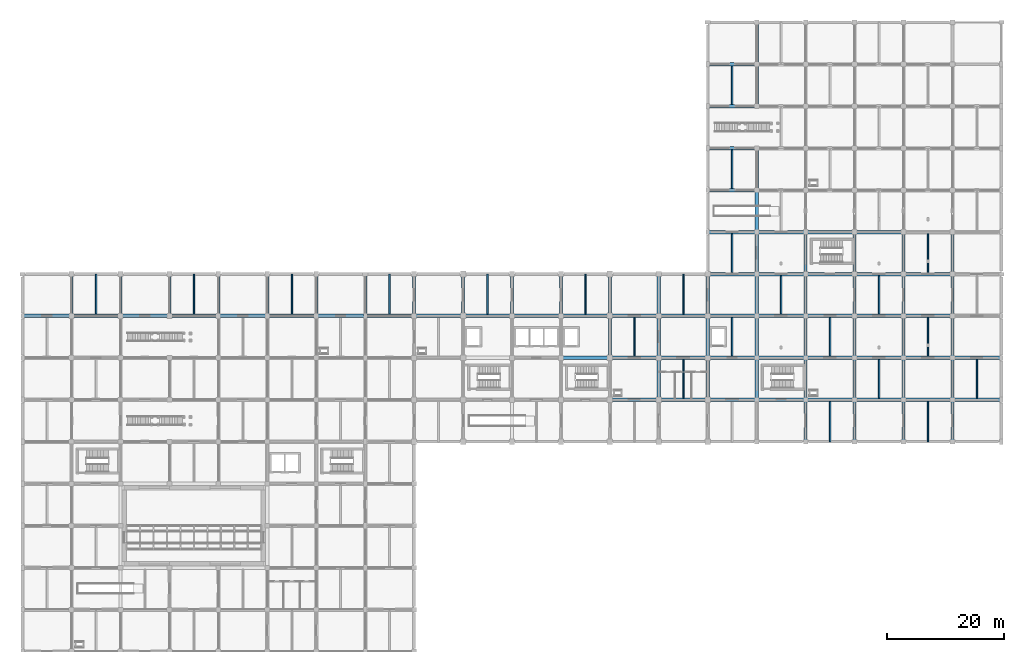
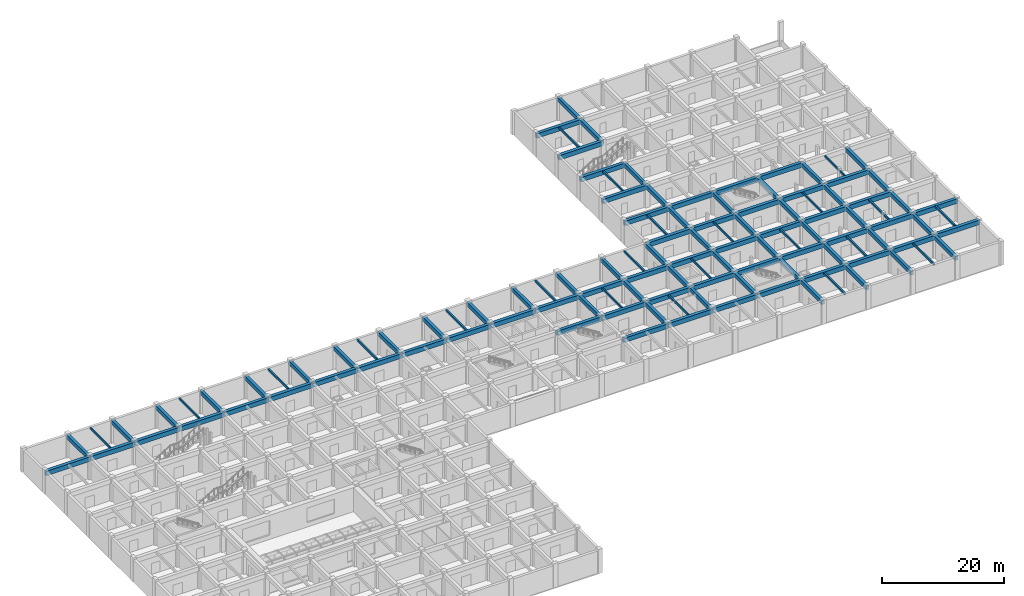
# One storey, part 12 of 32: 118 beams.
"""IFC4 building model written with IfcOpenShell, lengths in metres."""

from ifc_helpers import new_model, si_unit, derived_unit, direction, frame, origin, origin_2d, place, context, subcontext, project, spatial, rectangle, extrude, material, material_profile, profile_set, type_object, element, save


model = new_model("IFC4")

# Units and contexts
model_context = context("Model", 3, precision=1e-05, world=origin(), true_north=direction((0.0, 1.0)))
body_context = subcontext(model_context, "Body", "Model", "MODEL_VIEW")
ifc_project = project(units=[si_unit("LENGTHUNIT", "METRE"), si_unit("AREAUNIT", "SQUARE_METRE"), si_unit("VOLUMEUNIT", "CUBIC_METRE"), si_unit("PLANEANGLEUNIT", "RADIAN"), si_unit("MASSUNIT", "GRAM", prefix="KILO"), derived_unit("THERMALTRANSMITTANCEUNIT", [(si_unit("MASSUNIT", "GRAM", prefix="KILO"), 1), (si_unit("TIMEUNIT", "SECOND"), -3), (si_unit("THERMODYNAMICTEMPERATUREUNIT", "KELVIN"), -1)])], contexts=[model_context])

# Site, building, storey
site_placement = place(None, origin())
site = spatial("IfcSite", under=ifc_project, at=site_placement, CompositionType="ELEMENT")
building_placement = place(site_placement, origin())
building = spatial("IfcBuilding", under=site, at=building_placement, Name="Veldstrom Oceanarium and Marine Research Institute", CompositionType="ELEMENT")
storey_placement = place(building_placement, frame((0.0, 0.0, -4.800048828125)))
storey = spatial("IfcBuildingStorey", under=building, at=storey_placement, Name="B01", CompositionType="ELEMENT", Elevation=-4.800048828125)

# Beams
ifc_material_1 = material(Name="Concrete C40/50", Category="concrete")
ifc_material_profile_1 = material_profile(ifc_material_1, rectangle(XDim=0.60009765625, YDim=0.89990234375, at=origin_2d()), Name="RC-BM-600x900")
ifc_profile_set_1 = profile_set([ifc_material_profile_1], Name="Concrete C40/50")
beam_type_1 = type_object("IfcBeamType", Name="STR-BM-B01", PredefinedType="BEAM", material=ifc_profile_set_1)
beam_1_placement = place(storey_placement, frame((0.0, 64.800048828125, 3.9951171875), z_axis=(1.0, 0.0, 0.0), x_axis=(0.0, 1.0, 0.0)))
element("IfcBeam", 1, at=beam_1_placement, inside=storey, type_object=beam_type_1, Name="Primary Beam B01 B01-0369", PredefinedType="BEAM", context=body_context, shape_type="SweptSolid", body=[
    extrude(rectangle(XDim=0.60009765625, YDim=0.89990234375, at=origin_2d()), origin(), (0.0, 0.0, 1.0), 8.39990234375),
])
beam_2_placement = place(storey_placement, frame((8.39990234375, 64.800048828125, 3.9951171875), z_axis=(1.0, 0.0, 0.0), x_axis=(0.0, 1.0, 0.0)))
element("IfcBeam", 2, at=beam_2_placement, inside=storey, type_object=beam_type_1, Name="Primary Beam B01 B01-0378", PredefinedType="BEAM", context=body_context, shape_type="SweptSolid", body=[
    extrude(rectangle(XDim=0.60009765625, YDim=0.89990234375, at=origin_2d()), origin(), (0.0, 0.0, 1.0), 8.400146484375),
])
beam_3_placement = place(storey_placement, frame((16.800048828125, 64.800048828125, 3.9951171875), z_axis=(1.0, 0.0, 0.0), x_axis=(0.0, 1.0, 0.0)))
element("IfcBeam", 3, at=beam_3_placement, inside=storey, type_object=beam_type_1, Name="Primary Beam B01 B01-0386", PredefinedType="BEAM", context=body_context, shape_type="SweptSolid", body=[
    extrude(rectangle(XDim=0.60009765625, YDim=0.89990234375, at=origin_2d()), origin(), (0.0, 0.0, 1.0), 8.39990234375),
])
beam_4_placement = place(storey_placement, frame((25.199951171875, 64.800048828125, 3.9951171875), z_axis=(1.0, 0.0, 0.0), x_axis=(0.0, 1.0, 0.0)))
element("IfcBeam", 4, at=beam_4_placement, inside=storey, type_object=beam_type_1, Name="Primary Beam B01 B01-0394", PredefinedType="BEAM", context=body_context, shape_type="SweptSolid", body=[
    extrude(rectangle(XDim=0.60009765625, YDim=0.89990234375, at=origin_2d()), origin(), (0.0, 0.0, 1.0), 8.400146484375),
])
for number, where, z_axis, x_axis, name in (
    (5, (33.60009765625, 64.800048828125, 3.9951171875), (1.0, 0.0, 0.0), (0.0, 1.0, 0.0), "Primary Beam B01 B01-0402"),
    (6, (42.0, 64.800048828125, 3.9951171875), (1.0, 0.0, 0.0), (0.0, 1.0, 0.0), "Primary Beam B01 B01-0411"),
):
    element("IfcBeam", number, at=place(storey_placement, frame(where, z_axis=z_axis, x_axis=x_axis)), inside=storey, type_object=beam_type_1, Name=name, PredefinedType="BEAM", context=body_context, shape_type="SweptSolid", body=[
        extrude(rectangle(XDim=0.60009765625, YDim=0.89990234375, at=origin_2d()), origin(), (0.0, 0.0, 1.0), 8.39990234375),
    ])
beam_5_placement = place(storey_placement, frame((50.39990234375, 64.800048828125, 3.9951171875), z_axis=(1.0, 0.0, 0.0), x_axis=(0.0, 1.0, 0.0)))
element("IfcBeam", 7, at=beam_5_placement, inside=storey, type_object=beam_type_1, Name="Primary Beam B01 B01-0420", PredefinedType="BEAM", context=body_context, shape_type="SweptSolid", body=[
    extrude(rectangle(XDim=0.60009765625, YDim=0.89990234375, at=origin_2d()), origin(), (0.0, 0.0, 1.0), 8.400146484375),
])
beam_6_placement = place(storey_placement, frame((58.800048828125, 64.800048828125, 3.9951171875), z_axis=(1.0, 0.0, 0.0), x_axis=(0.0, 1.0, 0.0)))
element("IfcBeam", 8, at=beam_6_placement, inside=storey, type_object=beam_type_1, Name="Primary Beam B01 B01-0429", PredefinedType="BEAM", context=body_context, shape_type="SweptSolid", body=[
    extrude(rectangle(XDim=0.60009765625, YDim=0.89990234375, at=origin_2d()), origin(), (0.0, 0.0, 1.0), 8.39990234375),
])
beam_7_placement = place(storey_placement, frame((67.199951171875, 64.800048828125, 3.9951171875), z_axis=(1.0, 0.0, 0.0), x_axis=(0.0, 1.0, 0.0)))
element("IfcBeam", 9, at=beam_7_placement, inside=storey, type_object=beam_type_1, Name="Primary Beam B01 B01-0432", PredefinedType="BEAM", context=body_context, shape_type="SweptSolid", body=[
    extrude(rectangle(XDim=0.60009765625, YDim=0.89990234375, at=origin_2d()), origin(), (0.0, 0.0, 1.0), 8.400146484375),
])
for number, where, z_axis, x_axis, name in (
    (10, (75.60009765625, 64.800048828125, 3.9951171875), (1.0, 0.0, 0.0), (0.0, 1.0, 0.0), "Primary Beam B01 B01-0435"),
    (11, (84.0, 64.800048828125, 3.9951171875), (1.0, 0.0, 0.0), (0.0, 1.0, 0.0), "Primary Beam B01 B01-0438"),
):
    element("IfcBeam", number, at=place(storey_placement, frame(where, z_axis=z_axis, x_axis=x_axis)), inside=storey, type_object=beam_type_1, Name=name, PredefinedType="BEAM", context=body_context, shape_type="SweptSolid", body=[
        extrude(rectangle(XDim=0.60009765625, YDim=0.89990234375, at=origin_2d()), origin(), (0.0, 0.0, 1.0), 8.39990234375),
    ])
for number, where, z_axis, x_axis, name in (
    (12, (92.39990234375, 57.60009765625, 3.9951171875), (1.0, 0.0, 0.0), (0.0, 1.0, 0.0), "Primary Beam B01 B01-0440"),
    (13, (92.39990234375, 64.800048828125, 3.9951171875), (1.0, 0.0, 0.0), (0.0, 1.0, 0.0), "Primary Beam B01 B01-0441"),
):
    element("IfcBeam", number, at=place(storey_placement, frame(where, z_axis=z_axis, x_axis=x_axis)), inside=storey, type_object=beam_type_1, Name=name, PredefinedType="BEAM", context=body_context, shape_type="SweptSolid", body=[
        extrude(rectangle(XDim=0.60009765625, YDim=0.89990234375, at=origin_2d()), origin(), (0.0, 0.0, 1.0), 8.400146484375),
    ])
for number, where, z_axis, x_axis, name in (
    (14, (100.800048828125, 50.39990234375, 3.9951171875), (1.0, 0.0, 0.0), (0.0, 1.0, 0.0), "Primary Beam B01 B01-0442"),
    (15, (100.800048828125, 57.60009765625, 3.9951171875), (1.0, 0.0, 0.0), (0.0, 1.0, 0.0), "Primary Beam B01 B01-0443"),
    (16, (100.800048828125, 64.800048828125, 3.9951171875), (1.0, 0.0, 0.0), (0.0, 1.0, 0.0), "Primary Beam B01 B01-0444"),
):
    element("IfcBeam", number, at=place(storey_placement, frame(where, z_axis=z_axis, x_axis=x_axis)), inside=storey, type_object=beam_type_1, Name=name, PredefinedType="BEAM", context=body_context, shape_type="SweptSolid", body=[
        extrude(rectangle(XDim=0.60009765625, YDim=0.89990234375, at=origin_2d()), origin(), (0.0, 0.0, 1.0), 8.39990234375),
    ])
for number, where, z_axis, x_axis, name in (
    (17, (109.199951171875, 50.39990234375, 3.9951171875), (1.0, 0.0, 0.0), (0.0, 1.0, 0.0), "Primary Beam B01 B01-0445"),
    (18, (109.199951171875, 57.60009765625, 3.9951171875), (1.0, 0.0, 0.0), (0.0, 1.0, 0.0), "Primary Beam B01 B01-0446"),
    (19, (109.199951171875, 64.800048828125, 3.9951171875), (1.0, 0.0, 0.0), (0.0, 1.0, 0.0), "Primary Beam B01 B01-0447"),
):
    element("IfcBeam", number, at=place(storey_placement, frame(where, z_axis=z_axis, x_axis=x_axis)), inside=storey, type_object=beam_type_1, Name=name, PredefinedType="BEAM", context=body_context, shape_type="SweptSolid", body=[
        extrude(rectangle(XDim=0.60009765625, YDim=0.89990234375, at=origin_2d()), origin(), (0.0, 0.0, 1.0), 8.400146484375),
    ])
for number, where, z_axis, x_axis, name in (
    (20, (117.60009765625, 50.39990234375, 3.9951171875), (1.0, 0.0, 0.0), (0.0, 1.0, 0.0), "Primary Beam B01 B01-0448"),
    (21, (117.60009765625, 57.60009765625, 3.9951171875), (1.0, 0.0, 0.0), (0.0, 1.0, 0.0), "Primary Beam B01 B01-0449"),
    (22, (117.60009765625, 64.800048828125, 3.9951171875), (1.0, 0.0, 0.0), (0.0, 1.0, 0.0), "Primary Beam B01 B01-0450"),
    (23, (117.60009765625, 72.0, 3.9951171875), (1.0, 0.0, 0.0), (0.0, 1.0, 0.0), "Primary Beam B01 B01-0451"),
    (24, (117.60009765625, 79.199951171875, 3.9951171875), (1.0, 0.0, 0.0), (0.0, 1.0, 0.0), "Primary Beam B01 B01-0452"),
    (25, (117.60009765625, 86.39990234375, 3.9951171875), (1.0, 0.0, 0.0), (0.0, 1.0, 0.0), "Primary Beam B01 B01-0453"),
    (26, (117.60009765625, 93.60009765625, 3.9951171875), (1.0, 0.0, 0.0), (0.0, 1.0, 0.0), "Primary Beam B01 B01-0454"),
    (27, (117.60009765625, 100.800048828125, 3.9951171875), (1.0, 0.0, 0.0), (0.0, 1.0, 0.0), "Primary Beam B01 B01-0455"),
    (28, (117.60009765625, 108.0, 3.9951171875), (1.0, 0.0, 0.0), (0.0, 1.0, 0.0), "Primary Beam B01 B01-0456"),
    (29, (126.0, 50.39990234375, 3.9951171875), (1.0, 0.0, 0.0), (0.0, 1.0, 0.0), "Primary Beam B01 B01-0457"),
    (30, (126.0, 57.60009765625, 3.9951171875), (1.0, 0.0, 0.0), (0.0, 1.0, 0.0), "Primary Beam B01 B01-0458"),
    (31, (126.0, 64.800048828125, 3.9951171875), (1.0, 0.0, 0.0), (0.0, 1.0, 0.0), "Primary Beam B01 B01-0459"),
    (32, (126.0, 72.0, 3.9951171875), (1.0, 0.0, 0.0), (0.0, 1.0, 0.0), "Primary Beam B01 B01-0460"),
    (33, (126.0, 79.199951171875, 3.9951171875), (1.0, 0.0, 0.0), (0.0, 1.0, 0.0), "Primary Beam B01 B01-0461"),
):
    element("IfcBeam", number, at=place(storey_placement, frame(where, z_axis=z_axis, x_axis=x_axis)), inside=storey, type_object=beam_type_1, Name=name, PredefinedType="BEAM", context=body_context, shape_type="SweptSolid", body=[
        extrude(rectangle(XDim=0.60009765625, YDim=0.89990234375, at=origin_2d()), origin(), (0.0, 0.0, 1.0), 8.39990234375),
    ])
for number, where, z_axis, x_axis, name in (
    (34, (134.39990234375, 50.39990234375, 3.9951171875), (1.0, 0.0, 0.0), (0.0, 1.0, 0.0), "Primary Beam B01 B01-0466"),
    (35, (134.39990234375, 57.60009765625, 3.9951171875), (1.0, 0.0, 0.0), (0.0, 1.0, 0.0), "Primary Beam B01 B01-0467"),
    (36, (134.39990234375, 64.800048828125, 3.9951171875), (1.0, 0.0, 0.0), (0.0, 1.0, 0.0), "Primary Beam B01 B01-0468"),
    (37, (134.39990234375, 72.0, 3.9951171875), (1.0, 0.0, 0.0), (0.0, 1.0, 0.0), "Primary Beam B01 B01-0469"),
    (38, (134.39990234375, 79.199951171875, 3.9951171875), (1.0, 0.0, 0.0), (0.0, 1.0, 0.0), "Primary Beam B01 B01-0470"),
):
    element("IfcBeam", number, at=place(storey_placement, frame(where, z_axis=z_axis, x_axis=x_axis)), inside=storey, type_object=beam_type_1, Name=name, PredefinedType="BEAM", context=body_context, shape_type="SweptSolid", body=[
        extrude(rectangle(XDim=0.60009765625, YDim=0.89990234375, at=origin_2d()), origin(), (0.0, 0.0, 1.0), 8.400146484375),
    ])
for number, where, z_axis, x_axis, name in (
    (39, (142.800048828125, 50.39990234375, 3.9951171875), (1.0, 0.0, 0.0), (0.0, 1.0, 0.0), "Primary Beam B01 B01-0475"),
    (40, (142.800048828125, 57.60009765625, 3.9951171875), (1.0, 0.0, 0.0), (0.0, 1.0, 0.0), "Primary Beam B01 B01-0476"),
    (41, (142.800048828125, 64.800048828125, 3.9951171875), (1.0, 0.0, 0.0), (0.0, 1.0, 0.0), "Primary Beam B01 B01-0477"),
    (42, (142.800048828125, 72.0, 3.9951171875), (1.0, 0.0, 0.0), (0.0, 1.0, 0.0), "Primary Beam B01 B01-0478"),
    (43, (142.800048828125, 79.199951171875, 3.9951171875), (1.0, 0.0, 0.0), (0.0, 1.0, 0.0), "Primary Beam B01 B01-0479"),
):
    element("IfcBeam", number, at=place(storey_placement, frame(where, z_axis=z_axis, x_axis=x_axis)), inside=storey, type_object=beam_type_1, Name=name, PredefinedType="BEAM", context=body_context, shape_type="SweptSolid", body=[
        extrude(rectangle(XDim=0.60009765625, YDim=0.89990234375, at=origin_2d()), origin(), (0.0, 0.0, 1.0), 8.39990234375),
    ])
for number, where, z_axis, x_axis, name in (
    (44, (151.199951171875, 50.39990234375, 3.9951171875), (1.0, 0.0, 0.0), (0.0, 1.0, 0.0), "Primary Beam B01 B01-0484"),
    (45, (151.199951171875, 57.60009765625, 3.9951171875), (1.0, 0.0, 0.0), (0.0, 1.0, 0.0), "Primary Beam B01 B01-0485"),
    (46, (151.199951171875, 64.800048828125, 3.9951171875), (1.0, 0.0, 0.0), (0.0, 1.0, 0.0), "Primary Beam B01 B01-0486"),
    (47, (151.199951171875, 72.0, 3.9951171875), (1.0, 0.0, 0.0), (0.0, 1.0, 0.0), "Primary Beam B01 B01-0487"),
):
    element("IfcBeam", number, at=place(storey_placement, frame(where, z_axis=z_axis, x_axis=x_axis)), inside=storey, type_object=beam_type_1, Name=name, PredefinedType="BEAM", context=body_context, shape_type="SweptSolid", body=[
        extrude(rectangle(XDim=0.60009765625, YDim=0.89990234375, at=origin_2d()), origin(), (0.0, 0.0, 1.0), 8.400146484375),
    ])
for number, where, z_axis, x_axis, name in (
    (48, (159.60009765625, 50.39990234375, 4.1201171875), (1.0, 0.0, 0.0), (0.0, 1.0, 0.0), "Primary Beam B01 B01-0493"),
    (49, (159.60009765625, 57.60009765625, 3.9951171875), (1.0, 0.0, 0.0), (0.0, 1.0, 0.0), "Primary Beam B01 B01-0494"),
):
    element("IfcBeam", number, at=place(storey_placement, frame(where, z_axis=z_axis, x_axis=x_axis)), inside=storey, type_object=beam_type_1, Name=name, PredefinedType="BEAM", context=body_context, shape_type="SweptSolid", body=[
        extrude(rectangle(XDim=0.60009765625, YDim=0.89990234375, at=origin_2d()), origin(), (0.0, 0.0, 1.0), 8.39990234375),
    ])
ifc_material_2 = material(Name="Concrete C40/50", Category="concrete")
ifc_material_profile_2 = material_profile(ifc_material_2, rectangle(XDim=0.550048828125, YDim=0.800048828125, at=origin_2d()), Name="RC-BM-550x800")
ifc_profile_set_2 = profile_set([ifc_material_profile_2], Name="Concrete C40/50")
beam_type_2 = type_object("IfcBeamType", Name="STR-BM-B02", PredefinedType="BEAM", material=ifc_profile_set_2)
for number, where, z_axis, x_axis, name in (
    (50, (8.39990234375, 64.800048828125, 4.045166015625), (0.0, 1.0, 0.0), (-1.0, 0.0, 0.0), "Primary Beam B02 B01-0510"),
    (51, (16.800048828125, 64.800048828125, 4.045166015625), (0.0, 1.0, 0.0), (-1.0, 0.0, 0.0), "Primary Beam B02 B01-0520"),
    (52, (25.199951171875, 64.800048828125, 4.045166015625), (0.0, 1.0, 0.0), (-1.0, 0.0, 0.0), "Primary Beam B02 B01-0528"),
    (53, (33.60009765625, 64.800048828125, 4.045166015625), (0.0, 1.0, 0.0), (-1.0, 0.0, 0.0), "Primary Beam B02 B01-0536"),
    (54, (42.0, 64.800048828125, 4.045166015625), (0.0, 1.0, 0.0), (-1.0, 0.0, 0.0), "Primary Beam B02 B01-0546"),
    (55, (50.39990234375, 64.800048828125, 4.045166015625), (0.0, 1.0, 0.0), (-1.0, 0.0, 0.0), "Primary Beam B02 B01-0556"),
    (56, (58.800048828125, 64.800048828125, 4.045166015625), (0.0, 1.0, 0.0), (-1.0, 0.0, 0.0), "Primary Beam B02 B01-0566"),
    (57, (67.199951171875, 64.800048828125, 4.045166015625), (0.0, 1.0, 0.0), (-1.0, 0.0, 0.0), "Primary Beam B02 B01-0570"),
    (58, (75.60009765625, 64.800048828125, 4.045166015625), (0.0, 1.0, 0.0), (-1.0, 0.0, 0.0), "Primary Beam B02 B01-0574"),
    (59, (84.0, 64.800048828125, 4.045166015625), (0.0, 1.0, 0.0), (-1.0, 0.0, 0.0), "Primary Beam B02 B01-0578"),
    (60, (92.39990234375, 64.800048828125, 4.045166015625), (0.0, 1.0, 0.0), (-1.0, 0.0, 0.0), "Primary Beam B02 B01-0582"),
    (61, (100.800048828125, 57.60009765625, 4.045166015625), (0.0, 1.0, 0.0), (-1.0, 0.0, 0.0), "Primary Beam B02 B01-0585"),
    (62, (100.800048828125, 64.800048828125, 4.045166015625), (0.0, 1.0, 0.0), (-1.0, 0.0, 0.0), "Primary Beam B02 B01-0586"),
):
    element("IfcBeam", number, at=place(storey_placement, frame(where, z_axis=z_axis, x_axis=x_axis)), inside=storey, type_object=beam_type_2, Name=name, PredefinedType="BEAM", context=body_context, shape_type="SweptSolid", body=[
        extrude(rectangle(XDim=0.550048828125, YDim=0.800048828125, at=origin_2d()), origin(), (0.0, 0.0, 1.0), 7.199951171875),
    ])
beam_8_placement = place(storey_placement, frame((109.199951171875, 50.39990234375, 4.045166015625), z_axis=(0.0, 1.0, 0.0), x_axis=(-1.0, 0.0, 0.0)))
element("IfcBeam", 63, at=beam_8_placement, inside=storey, type_object=beam_type_2, Name="Primary Beam B02 B01-0588", PredefinedType="BEAM", context=body_context, shape_type="SweptSolid", body=[
    extrude(rectangle(XDim=0.550048828125, YDim=0.800048828125, at=origin_2d()), origin(), (0.0, 0.0, 1.0), 7.2001953125),
])
for number, where, z_axis, x_axis, name in (
    (64, (109.199951171875, 57.60009765625, 4.045166015625), (0.0, 1.0, 0.0), (-1.0, 0.0, 0.0), "Primary Beam B02 B01-0589"),
    (65, (109.199951171875, 64.800048828125, 4.045166015625), (0.0, 1.0, 0.0), (-1.0, 0.0, 0.0), "Primary Beam B02 B01-0590"),
):
    element("IfcBeam", number, at=place(storey_placement, frame(where, z_axis=z_axis, x_axis=x_axis)), inside=storey, type_object=beam_type_2, Name=name, PredefinedType="BEAM", context=body_context, shape_type="SweptSolid", body=[
        extrude(rectangle(XDim=0.550048828125, YDim=0.800048828125, at=origin_2d()), origin(), (0.0, 0.0, 1.0), 7.199951171875),
    ])
beam_9_placement = place(storey_placement, frame((117.60009765625, 50.39990234375, 4.045166015625), z_axis=(0.0, 1.0, 0.0), x_axis=(-1.0, 0.0, 0.0)))
element("IfcBeam", 66, at=beam_9_placement, inside=storey, type_object=beam_type_2, Name="Primary Beam B02 B01-0592", PredefinedType="BEAM", context=body_context, shape_type="SweptSolid", body=[
    extrude(rectangle(XDim=0.550048828125, YDim=0.800048828125, at=origin_2d()), origin(), (0.0, 0.0, 1.0), 7.2001953125),
])
for number, where, z_axis, x_axis, name in (
    (67, (117.60009765625, 57.60009765625, 4.045166015625), (0.0, 1.0, 0.0), (-1.0, 0.0, 0.0), "Primary Beam B02 B01-0593"),
    (68, (117.60009765625, 64.800048828125, 4.045166015625), (0.0, 1.0, 0.0), (-1.0, 0.0, 0.0), "Primary Beam B02 B01-0594"),
):
    element("IfcBeam", number, at=place(storey_placement, frame(where, z_axis=z_axis, x_axis=x_axis)), inside=storey, type_object=beam_type_2, Name=name, PredefinedType="BEAM", context=body_context, shape_type="SweptSolid", body=[
        extrude(rectangle(XDim=0.550048828125, YDim=0.800048828125, at=origin_2d()), origin(), (0.0, 0.0, 1.0), 7.199951171875),
    ])
beam_10_placement = place(storey_placement, frame((126.0, 50.39990234375, 4.045166015625), z_axis=(0.0, 1.0, 0.0), x_axis=(-1.0, 0.0, 0.0)))
element("IfcBeam", 69, at=beam_10_placement, inside=storey, type_object=beam_type_2, Name="Primary Beam B02 B01-0596", PredefinedType="BEAM", context=body_context, shape_type="SweptSolid", body=[
    extrude(rectangle(XDim=0.550048828125, YDim=0.800048828125, at=origin_2d()), origin(), (0.0, 0.0, 1.0), 7.2001953125),
])
for number, where, z_axis, x_axis, name in (
    (70, (126.0, 57.60009765625, 4.045166015625), (0.0, 1.0, 0.0), (-1.0, 0.0, 0.0), "Primary Beam B02 B01-0597"),
    (71, (126.0, 64.800048828125, 4.045166015625), (0.0, 1.0, 0.0), (-1.0, 0.0, 0.0), "Primary Beam B02 B01-0598"),
    (72, (126.0, 72.0, 4.045166015625), (0.0, 1.0, 0.0), (-1.0, 0.0, 0.0), "Primary Beam B02 B01-0599"),
    (73, (126.0, 79.199951171875, 4.045166015625), (0.0, 1.0, 0.0), (-1.0, 0.0, 0.0), "Primary Beam B02 B01-0600"),
):
    element("IfcBeam", number, at=place(storey_placement, frame(where, z_axis=z_axis, x_axis=x_axis)), inside=storey, type_object=beam_type_2, Name=name, PredefinedType="BEAM", context=body_context, shape_type="SweptSolid", body=[
        extrude(rectangle(XDim=0.550048828125, YDim=0.800048828125, at=origin_2d()), origin(), (0.0, 0.0, 1.0), 7.199951171875),
    ])
beam_11_placement = place(storey_placement, frame((126.0, 86.39990234375, 4.045166015625), z_axis=(0.0, 1.0, 0.0), x_axis=(-1.0, 0.0, 0.0)))
element("IfcBeam", 74, at=beam_11_placement, inside=storey, type_object=beam_type_2, Name="Primary Beam B02 B01-0601", PredefinedType="BEAM", context=body_context, shape_type="SweptSolid", body=[
    extrude(rectangle(XDim=0.550048828125, YDim=0.800048828125, at=origin_2d()), origin(), (0.0, 0.0, 1.0), 7.2001953125),
])
for number, where, z_axis, x_axis, name in (
    (75, (126.0, 100.800048828125, 4.045166015625), (0.0, 1.0, 0.0), (-1.0, 0.0, 0.0), "Primary Beam B02 B01-0603"),
    (76, (126.0, 108.0, 4.045166015625), (0.0, 1.0, 0.0), (-1.0, 0.0, 0.0), "Primary Beam B02 B01-0604"),
    (77, (134.39990234375, 43.199951171875, 4.045166015625), (0.0, 1.0, 0.0), (-1.0, 0.0, 0.0), "Primary Beam B02 B01-0605"),
):
    element("IfcBeam", number, at=place(storey_placement, frame(where, z_axis=z_axis, x_axis=x_axis)), inside=storey, type_object=beam_type_2, Name=name, PredefinedType="BEAM", context=body_context, shape_type="SweptSolid", body=[
        extrude(rectangle(XDim=0.550048828125, YDim=0.800048828125, at=origin_2d()), origin(), (0.0, 0.0, 1.0), 7.199951171875),
    ])
beam_12_placement = place(storey_placement, frame((134.39990234375, 50.39990234375, 4.045166015625), z_axis=(0.0, 1.0, 0.0), x_axis=(-1.0, 0.0, 0.0)))
element("IfcBeam", 78, at=beam_12_placement, inside=storey, type_object=beam_type_2, Name="Primary Beam B02 B01-0606", PredefinedType="BEAM", context=body_context, shape_type="SweptSolid", body=[
    extrude(rectangle(XDim=0.550048828125, YDim=0.800048828125, at=origin_2d()), origin(), (0.0, 0.0, 1.0), 7.2001953125),
])
for number, where, z_axis, x_axis, name in (
    (79, (134.39990234375, 57.60009765625, 4.045166015625), (0.0, 1.0, 0.0), (-1.0, 0.0, 0.0), "Primary Beam B02 B01-0607"),
    (80, (134.39990234375, 64.800048828125, 4.045166015625), (0.0, 1.0, 0.0), (-1.0, 0.0, 0.0), "Primary Beam B02 B01-0608"),
    (81, (134.39990234375, 72.0, 4.045166015625), (0.0, 1.0, 0.0), (-1.0, 0.0, 0.0), "Primary Beam B02 B01-0609"),
    (82, (142.800048828125, 43.199951171875, 4.045166015625), (0.0, 1.0, 0.0), (-1.0, 0.0, 0.0), "Primary Beam B02 B01-0615"),
):
    element("IfcBeam", number, at=place(storey_placement, frame(where, z_axis=z_axis, x_axis=x_axis)), inside=storey, type_object=beam_type_2, Name=name, PredefinedType="BEAM", context=body_context, shape_type="SweptSolid", body=[
        extrude(rectangle(XDim=0.550048828125, YDim=0.800048828125, at=origin_2d()), origin(), (0.0, 0.0, 1.0), 7.199951171875),
    ])
beam_13_placement = place(storey_placement, frame((142.800048828125, 50.39990234375, 4.045166015625), z_axis=(0.0, 1.0, 0.0), x_axis=(-1.0, 0.0, 0.0)))
element("IfcBeam", 83, at=beam_13_placement, inside=storey, type_object=beam_type_2, Name="Primary Beam B02 B01-0616", PredefinedType="BEAM", context=body_context, shape_type="SweptSolid", body=[
    extrude(rectangle(XDim=0.550048828125, YDim=0.800048828125, at=origin_2d()), origin(), (0.0, 0.0, 1.0), 7.2001953125),
])
for number, where, z_axis, x_axis, name in (
    (84, (142.800048828125, 57.60009765625, 4.045166015625), (0.0, 1.0, 0.0), (-1.0, 0.0, 0.0), "Primary Beam B02 B01-0617"),
    (85, (142.800048828125, 64.800048828125, 4.045166015625), (0.0, 1.0, 0.0), (-1.0, 0.0, 0.0), "Primary Beam B02 B01-0618"),
    (86, (142.800048828125, 72.0, 4.045166015625), (0.0, 1.0, 0.0), (-1.0, 0.0, 0.0), "Primary Beam B02 B01-0619"),
    (87, (151.199951171875, 43.199951171875, 4.045166015625), (0.0, 1.0, 0.0), (-1.0, 0.0, 0.0), "Primary Beam B02 B01-0625"),
):
    element("IfcBeam", number, at=place(storey_placement, frame(where, z_axis=z_axis, x_axis=x_axis)), inside=storey, type_object=beam_type_2, Name=name, PredefinedType="BEAM", context=body_context, shape_type="SweptSolid", body=[
        extrude(rectangle(XDim=0.550048828125, YDim=0.800048828125, at=origin_2d()), origin(), (0.0, 0.0, 1.0), 7.199951171875),
    ])
beam_14_placement = place(storey_placement, frame((151.199951171875, 50.39990234375, 4.045166015625), z_axis=(0.0, 1.0, 0.0), x_axis=(-1.0, 0.0, 0.0)))
element("IfcBeam", 88, at=beam_14_placement, inside=storey, type_object=beam_type_2, Name="Primary Beam B02 B01-0626", PredefinedType="BEAM", context=body_context, shape_type="SweptSolid", body=[
    extrude(rectangle(XDim=0.550048828125, YDim=0.800048828125, at=origin_2d()), origin(), (0.0, 0.0, 1.0), 7.2001953125),
])
for number, where, z_axis, x_axis, name in (
    (89, (151.199951171875, 57.60009765625, 4.045166015625), (0.0, 1.0, 0.0), (-1.0, 0.0, 0.0), "Primary Beam B02 B01-0627"),
    (90, (151.199951171875, 64.800048828125, 4.045166015625), (0.0, 1.0, 0.0), (-1.0, 0.0, 0.0), "Primary Beam B02 B01-0628"),
    (91, (151.199951171875, 72.0, 4.045166015625), (0.0, 1.0, 0.0), (-1.0, 0.0, 0.0), "Primary Beam B02 B01-0629"),
    (92, (159.60009765625, 43.199951171875, 4.045166015625), (0.0, 1.0, 0.0), (-1.0, 0.0, 0.0), "Primary Beam B02 B01-0635"),
):
    element("IfcBeam", number, at=place(storey_placement, frame(where, z_axis=z_axis, x_axis=x_axis)), inside=storey, type_object=beam_type_2, Name=name, PredefinedType="BEAM", context=body_context, shape_type="SweptSolid", body=[
        extrude(rectangle(XDim=0.550048828125, YDim=0.800048828125, at=origin_2d()), origin(), (0.0, 0.0, 1.0), 7.199951171875),
    ])
beam_15_placement = place(storey_placement, frame((159.60009765625, 50.39990234375, 4.045166015625), z_axis=(0.0, 1.0, 0.0), x_axis=(-1.0, 0.0, 0.0)))
element("IfcBeam", 93, at=beam_15_placement, inside=storey, type_object=beam_type_2, Name="Primary Beam B02 B01-0636", PredefinedType="BEAM", context=body_context, shape_type="SweptSolid", body=[
    extrude(rectangle(XDim=0.550048828125, YDim=0.800048828125, at=origin_2d()), origin(), (0.0, 0.0, 1.0), 7.2001953125),
])
for number, where, z_axis, x_axis, name in (
    (94, (159.60009765625, 57.60009765625, 4.045166015625), (0.0, 1.0, 0.0), (-1.0, 0.0, 0.0), "Primary Beam B02 B01-0637"),
    (95, (159.60009765625, 64.800048828125, 4.045166015625), (0.0, 1.0, 0.0), (-1.0, 0.0, 0.0), "Primary Beam B02 B01-0638"),
    (96, (159.60009765625, 72.0, 4.045166015625), (0.0, 1.0, 0.0), (-1.0, 0.0, 0.0), "Primary Beam B02 B01-0639"),
):
    element("IfcBeam", number, at=place(storey_placement, frame(where, z_axis=z_axis, x_axis=x_axis)), inside=storey, type_object=beam_type_2, Name=name, PredefinedType="BEAM", context=body_context, shape_type="SweptSolid", body=[
        extrude(rectangle(XDim=0.550048828125, YDim=0.800048828125, at=origin_2d()), origin(), (0.0, 0.0, 1.0), 7.199951171875),
    ])
ifc_material_3 = material(Name="Concrete C40/50", Category="concrete")
ifc_material_profile_3 = material_profile(ifc_material_3, rectangle(XDim=0.25, YDim=0.39990234375, at=origin_2d()), Name="RC-JST-250x400")
ifc_profile_set_3 = profile_set([ifc_material_profile_3], Name="Concrete C40/50")
beam_type_3 = type_object("IfcBeamType", Name="STR-JST-J02", PredefinedType="JOIST", material=ifc_profile_set_3)
for number, where, z_axis, x_axis, name in (
    (97, (12.60009765625, 65.10009765625, 4.2451171875), (0.0, 1.0, 0.0), (-1.0, 0.0, 0.0), "Secondary Joist J02 B01-0652"),
    (98, (29.39990234375, 65.10009765625, 4.2451171875), (0.0, 1.0, 0.0), (-1.0, 0.0, 0.0), "Secondary Joist J02 B01-0660"),
    (99, (46.199951171875, 65.10009765625, 4.2451171875), (0.0, 1.0, 0.0), (-1.0, 0.0, 0.0), "Secondary Joist J02 B01-0668"),
    (100, (63.0, 65.10009765625, 4.2451171875), (0.0, 1.0, 0.0), (-1.0, 0.0, 0.0), "Secondary Joist J02 B01-0678"),
    (101, (79.800048828125, 65.10009765625, 4.2451171875), (0.0, 1.0, 0.0), (-1.0, 0.0, 0.0), "Secondary Joist J02 B01-0681"),
    (102, (96.60009765625, 65.10009765625, 4.2451171875), (0.0, 1.0, 0.0), (-1.0, 0.0, 0.0), "Secondary Joist J02 B01-0683"),
):
    element("IfcBeam", number, at=place(storey_placement, frame(where, z_axis=z_axis, x_axis=x_axis)), inside=storey, type_object=beam_type_3, Name=name, PredefinedType="JOIST", context=body_context, shape_type="SweptSolid", body=[
        extrude(rectangle(XDim=0.25, YDim=0.39990234375, at=origin_2d()), origin(), (0.0, 0.0, 1.0), 6.89990234375),
    ])
for number, where, z_axis, x_axis, name in (
    (103, (105.0, 57.89990234375, 4.2451171875), (0.0, 1.0, 0.0), (-1.0, 0.0, 0.0), "Secondary Joist J02 B01-0685"),
    (104, (113.39990234375, 50.699951171875, 4.2451171875), (0.0, 1.0, 0.0), (-1.0, 0.0, 0.0), "Secondary Joist J02 B01-0686"),
):
    element("IfcBeam", number, at=place(storey_placement, frame(where, z_axis=z_axis, x_axis=x_axis)), inside=storey, type_object=beam_type_3, Name=name, PredefinedType="JOIST", context=body_context, shape_type="SweptSolid", body=[
        extrude(rectangle(XDim=0.25, YDim=0.39990234375, at=origin_2d()), origin(), (0.0, 0.0, 1.0), 6.60009765625),
    ])
beam_16_placement = place(storey_placement, frame((113.39990234375, 65.10009765625, 4.2451171875), z_axis=(0.0, 1.0, 0.0), x_axis=(-1.0, 0.0, 0.0)))
element("IfcBeam", 105, at=beam_16_placement, inside=storey, type_object=beam_type_3, Name="Secondary Joist J02 B01-0687", PredefinedType="JOIST", context=body_context, shape_type="SweptSolid", body=[
    extrude(rectangle(XDim=0.25, YDim=0.39990234375, at=origin_2d()), origin(), (0.0, 0.0, 1.0), 6.89990234375),
])
beam_17_placement = place(storey_placement, frame((121.800048828125, 57.89990234375, 4.2451171875), z_axis=(0.0, 1.0, 0.0), x_axis=(-1.0, 0.0, 0.0)))
element("IfcBeam", 106, at=beam_17_placement, inside=storey, type_object=beam_type_3, Name="Secondary Joist J02 B01-0689", PredefinedType="JOIST", context=body_context, shape_type="SweptSolid", body=[
    extrude(rectangle(XDim=0.25, YDim=0.39990234375, at=origin_2d()), origin(), (0.0, 0.0, 1.0), 6.60009765625),
])
beam_18_placement = place(storey_placement, frame((121.800048828125, 72.300048828125, 4.2451171875), z_axis=(0.0, 1.0, 0.0), x_axis=(-1.0, 0.0, 0.0)))
element("IfcBeam", 107, at=beam_18_placement, inside=storey, type_object=beam_type_3, Name="Secondary Joist J02 B01-0690", PredefinedType="JOIST", context=body_context, shape_type="SweptSolid", body=[
    extrude(rectangle(XDim=0.25, YDim=0.39990234375, at=origin_2d()), origin(), (0.0, 0.0, 1.0), 6.599853515625),
])
beam_19_placement = place(storey_placement, frame((121.800048828125, 86.699951171875, 4.2451171875), z_axis=(0.0, 1.0, 0.0), x_axis=(-1.0, 0.0, 0.0)))
element("IfcBeam", 108, at=beam_19_placement, inside=storey, type_object=beam_type_3, Name="Secondary Joist J02 B01-0691", PredefinedType="JOIST", context=body_context, shape_type="SweptSolid", body=[
    extrude(rectangle(XDim=0.25, YDim=0.39990234375, at=origin_2d()), origin(), (0.0, 0.0, 1.0), 6.60009765625),
])
for number, where, z_axis, x_axis, name in (
    (109, (121.800048828125, 101.10009765625, 4.2451171875), (0.0, 1.0, 0.0), (-1.0, 0.0, 0.0), "Secondary Joist J02 B01-0692"),
    (110, (130.199951171875, 65.10009765625, 4.2451171875), (0.0, 1.0, 0.0), (-1.0, 0.0, 0.0), "Secondary Joist J02 B01-0693"),
):
    element("IfcBeam", number, at=place(storey_placement, frame(where, z_axis=z_axis, x_axis=x_axis)), inside=storey, type_object=beam_type_3, Name=name, PredefinedType="JOIST", context=body_context, shape_type="SweptSolid", body=[
        extrude(rectangle(XDim=0.25, YDim=0.39990234375, at=origin_2d()), origin(), (0.0, 0.0, 1.0), 6.599853515625),
    ])
beam_20_placement = place(storey_placement, frame((138.60009765625, 43.199951171875, 4.2451171875), z_axis=(0.0, 1.0, 0.0), x_axis=(-1.0, 0.0, 0.0)))
element("IfcBeam", 111, at=beam_20_placement, inside=storey, type_object=beam_type_3, Name="Secondary Joist J02 B01-0697", PredefinedType="JOIST", context=body_context, shape_type="SweptSolid", body=[
    extrude(rectangle(XDim=0.25, YDim=0.39990234375, at=origin_2d()), origin(), (0.0, 0.0, 1.0), 6.900146484375),
])
for number, where, z_axis, x_axis, name in (
    (112, (138.60009765625, 57.89990234375, 4.2451171875), (0.0, 1.0, 0.0), (-1.0, 0.0, 0.0), "Secondary Joist J02 B01-0698"),
    (113, (147.0, 50.699951171875, 4.2451171875), (0.0, 1.0, 0.0), (-1.0, 0.0, 0.0), "Secondary Joist J02 B01-0701"),
):
    element("IfcBeam", number, at=place(storey_placement, frame(where, z_axis=z_axis, x_axis=x_axis)), inside=storey, type_object=beam_type_3, Name=name, PredefinedType="JOIST", context=body_context, shape_type="SweptSolid", body=[
        extrude(rectangle(XDim=0.25, YDim=0.39990234375, at=origin_2d()), origin(), (0.0, 0.0, 1.0), 6.60009765625),
    ])
beam_21_placement = place(storey_placement, frame((147.0, 65.10009765625, 4.2451171875), z_axis=(0.0, 1.0, 0.0), x_axis=(-1.0, 0.0, 0.0)))
element("IfcBeam", 114, at=beam_21_placement, inside=storey, type_object=beam_type_3, Name="Secondary Joist J02 B01-0702", PredefinedType="JOIST", context=body_context, shape_type="SweptSolid", body=[
    extrude(rectangle(XDim=0.25, YDim=0.39990234375, at=origin_2d()), origin(), (0.0, 0.0, 1.0), 6.599853515625),
])
beam_22_placement = place(storey_placement, frame((155.39990234375, 43.199951171875, 4.2451171875), z_axis=(0.0, 1.0, 0.0), x_axis=(-1.0, 0.0, 0.0)))
element("IfcBeam", 115, at=beam_22_placement, inside=storey, type_object=beam_type_3, Name="Secondary Joist J02 B01-0706", PredefinedType="JOIST", context=body_context, shape_type="SweptSolid", body=[
    extrude(rectangle(XDim=0.25, YDim=0.39990234375, at=origin_2d()), origin(), (0.0, 0.0, 1.0), 6.900146484375),
])
beam_23_placement = place(storey_placement, frame((155.39990234375, 57.89990234375, 4.2451171875), z_axis=(0.0, 1.0, 0.0), x_axis=(-1.0, 0.0, 0.0)))
element("IfcBeam", 116, at=beam_23_placement, inside=storey, type_object=beam_type_3, Name="Secondary Joist J02 B01-0707", PredefinedType="JOIST", context=body_context, shape_type="SweptSolid", body=[
    extrude(rectangle(XDim=0.25, YDim=0.39990234375, at=origin_2d()), origin(), (0.0, 0.0, 1.0), 6.60009765625),
])
beam_24_placement = place(storey_placement, frame((155.39990234375, 72.300048828125, 4.2451171875), z_axis=(0.0, 1.0, 0.0), x_axis=(-1.0, 0.0, 0.0)))
element("IfcBeam", 117, at=beam_24_placement, inside=storey, type_object=beam_type_3, Name="Secondary Joist J02 B01-0708", PredefinedType="JOIST", context=body_context, shape_type="SweptSolid", body=[
    extrude(rectangle(XDim=0.25, YDim=0.39990234375, at=origin_2d()), origin(), (0.0, 0.0, 1.0), 6.599853515625),
])
beam_25_placement = place(storey_placement, frame((163.800048828125, 50.699951171875, 4.3701171875), z_axis=(0.0, 1.0, 0.0), x_axis=(-1.0, 0.0, 0.0)))
element("IfcBeam", 118, at=beam_25_placement, inside=storey, type_object=beam_type_3, Name="Secondary Joist J02 B01-0711", PredefinedType="JOIST", context=body_context, shape_type="SweptSolid", body=[
    extrude(rectangle(XDim=0.25, YDim=0.39990234375, at=origin_2d()), origin(), (0.0, 0.0, 1.0), 6.60009765625),
])

save(model, "model.ifc")
